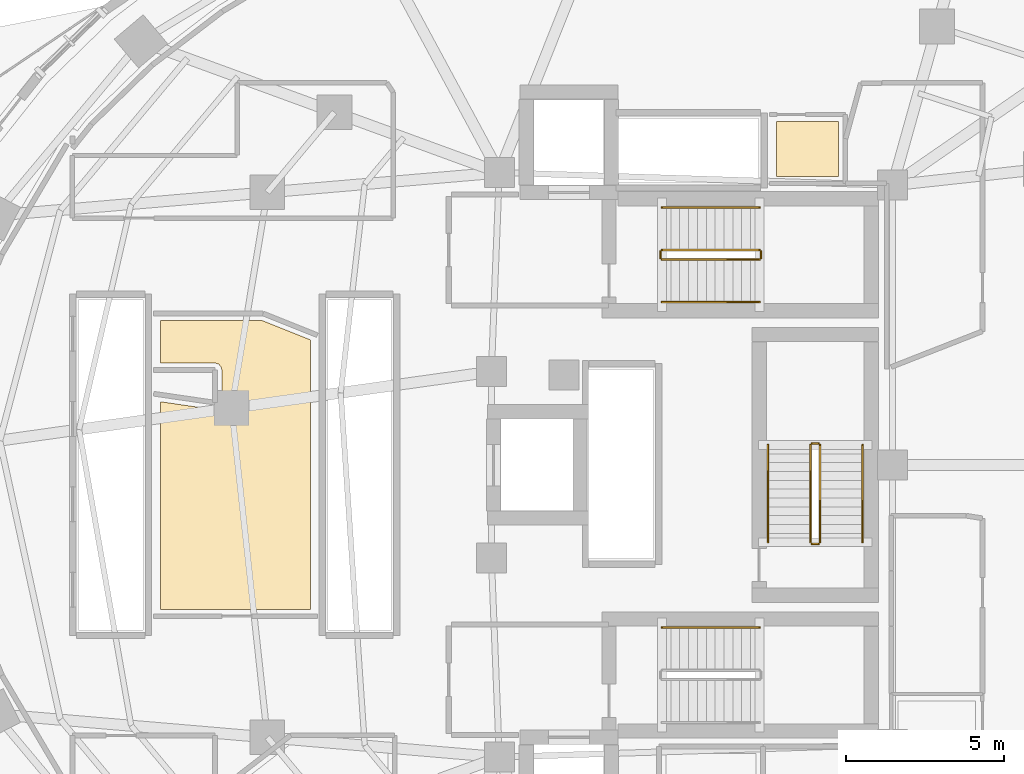
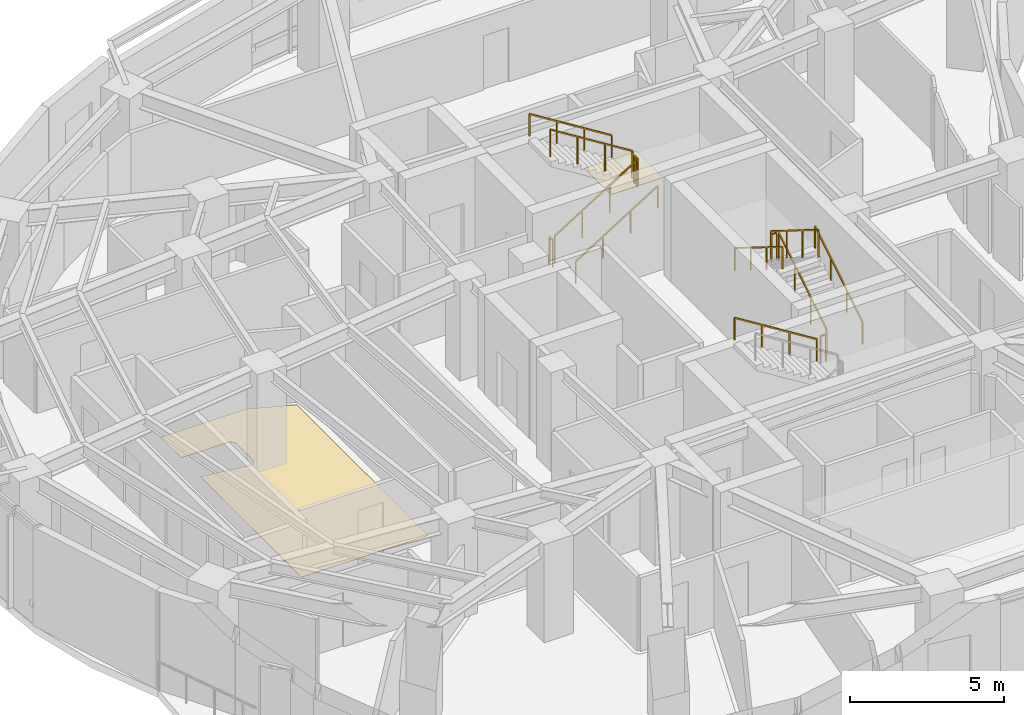
# One storey, part 14 of 15: 13 railings, 2 coverings.
"""IFC4 building model written with IfcOpenShell, lengths in metres."""

from ifc_helpers import new_model, si_unit, direction, frame, origin, origin_2d, place, context, subcontext, project, spatial, polyline, rectangle, outline, extrude, material, layer, layer_set, type_object, element, save


model = new_model("IFC4")

# Units and contexts
model_context = context("Model", 3, precision=1e-05, world=origin(), true_north=direction((0.0, 1.0)))
body_context = subcontext(model_context, "Body", "Model", "MODEL_VIEW")
ifc_project = project(units=[si_unit("LENGTHUNIT", "METRE"), si_unit("AREAUNIT", "SQUARE_METRE"), si_unit("VOLUMEUNIT", "CUBIC_METRE"), si_unit("PLANEANGLEUNIT", "RADIAN"), si_unit("MASSUNIT", "GRAM", prefix="KILO")], contexts=[model_context])

# Site, building, storey
site_placement = place(None, origin())
site = spatial("IfcSite", under=ifc_project, at=site_placement, CompositionType="ELEMENT")
building_placement = place(site_placement, origin())
building = spatial("IfcBuilding", under=site, at=building_placement, Name="Korentha Bioscience Tower", CompositionType="ELEMENT")
storey_placement = place(building_placement, frame((0.0, 0.0, 115.199951171875)))
storey = spatial("IfcBuildingStorey", under=building, at=storey_placement, Name="L26", CompositionType="ELEMENT", Elevation=115.199951171875)

# Covering
ifc_material_1 = material(Name="Vitrified Porcelain Tile", Category="ceramic")
ifc_layer_1 = layer(ifc_material_1, 0.014892578125, Name="Vitrified Porcelain Tile")
ifc_layer_set_1 = layer_set([ifc_layer_1], Name="Vitrified Porcelain Tile (FL-CER)")
covering_type_1 = type_object("IfcCoveringType", Name="Anti-Slip Ceramic Wet-Room Tile Flooring 15", PredefinedType="FLOORING", material=ifc_layer_set_1)
covering_1_placement = place(storey_placement, origin())
element("IfcCovering", 1, at=covering_1_placement, inside=storey, type_object=covering_type_1, Name="L26 Accessible Staff WC Floor Finish", PredefinedType="FLOORING", context=body_context, shape_type="SweptSolid", body=[
    extrude(outline(polyline([(33.8701171875, 36.1298828125), (33.8701171875, 37.8701171875), (35.830078125, 37.8701171875), (35.830078125, 36.1298828125), (33.8701171875, 36.1298828125)])), origin(), (0.0, 0.0, 1.0), 0.01513671875),
])

# Railings
ifc_material_2 = material(Name="Stainless Steel 304", Category="steel")
railing_type_1 = type_object("IfcRailingType", Name="Brushed Stainless Stair Handrail 900", PredefinedType="HANDRAIL", material=ifc_material_2)
railing_1_placement = place(storey_placement, frame((30.25, 32.14990234375, 0.175048828125)))
element("IfcRailing", 2, at=railing_1_placement, inside=storey, type_object=railing_type_1, Name="L26 ST-1 stair handrail 1", PredefinedType="HANDRAIL", context=body_context, shape_type="SweptSolid", body=[
    extrude(rectangle(XDim=0.048095703125, YDim=0.048095703125, at=origin_2d()), frame((0.0, 0.0, 0.8759765625), z_axis=(0.847998304005, 0.0, 0.529998940003), x_axis=(0.0, 1.0, 0.0)), (0.0, 0.0, 1.0), 3.632080078125),
    extrude(rectangle(XDim=0.0419921875, YDim=0.0419921875, at=origin_2d()), origin(), (0.0, 0.0, 1.0), 0.851806640625),
    extrude(rectangle(XDim=0.0419921875, YDim=0.0419921875, at=origin_2d()), frame((1.026611328125, 0.0, 0.6416015625)), (0.0, 0.0, 1.0), 0.851806640625),
    extrude(rectangle(XDim=0.0419921875, YDim=0.0419921875, at=origin_2d()), frame((2.053466796875, 0.0, 1.283447265625)), (0.0, 0.0, 1.0), 0.851806640625),
    extrude(rectangle(XDim=0.0419921875, YDim=0.0419921875, at=origin_2d()), frame((3.080078125, 0.0, 1.925048828125)), (0.0, 0.0, 1.0), 0.851806640625),
])
for number, where, name in (
    (3, (33.330078125, 35.14990234375, 2.275146484375), "L26 ST-1 stair handrail 2"),
    (4, (33.330078125, 21.85009765625, 2.275146484375), "L26 ST-2 stair handrail 2"),
):
    element("IfcRailing", number, at=place(storey_placement, frame(where)), inside=storey, type_object=railing_type_1, Name=name, PredefinedType="HANDRAIL", context=body_context, shape_type="SweptSolid", body=[
        extrude(rectangle(XDim=0.048095703125, YDim=0.048095703125, at=origin_2d()), frame((0.0, 0.0, 0.8759765625), z_axis=(-0.848028513186, 0.0, 0.529950602248), x_axis=(0.0, -1.0, 0.0)), (0.0, 0.0, 1.0), 3.632080078125),
        extrude(rectangle(XDim=0.0419921875, YDim=0.0419921875, at=origin_2d()), origin(), (0.0, 0.0, 1.0), 0.851806640625),
        extrude(rectangle(XDim=0.0419921875, YDim=0.0419921875, at=origin_2d()), frame((-1.026611328125, 0.0, 0.6416015625)), (0.0, 0.0, 1.0), 0.851806640625),
        extrude(rectangle(XDim=0.0419921875, YDim=0.0419921875, at=origin_2d()), frame((-2.053466796875, 0.0, 1.283203125)), (0.0, 0.0, 1.0), 0.851806640625),
        extrude(rectangle(XDim=0.0419921875, YDim=0.0419921875, at=origin_2d()), frame((-3.080078125, 0.0, 1.9248046875)), (0.0, 0.0, 1.0), 0.851806640625),
    ])
railing_2_placement = place(storey_placement, frame((36.60009765625, 24.550048828125, 0.175048828125)))
element("IfcRailing", 5, at=railing_2_placement, inside=storey, type_object=railing_type_1, Name="L26 ST-3 stair handrail 1", PredefinedType="HANDRAIL", context=body_context, shape_type="SweptSolid", body=[
    extrude(rectangle(XDim=0.048095703125, YDim=0.048095703125, at=origin_2d()), frame((0.0, 0.0, 0.8759765625), z_axis=(0.0, 0.847979421464, 0.530029150871), x_axis=(-1.0, 0.0, 0.0)), (0.0, 0.0, 1.0), 3.632080078125),
    extrude(rectangle(XDim=0.0419921875, YDim=0.0419921875, at=origin_2d()), origin(), (0.0, 0.0, 1.0), 0.851806640625),
    extrude(rectangle(XDim=0.0419921875, YDim=0.0419921875, at=origin_2d()), frame((0.0, 1.026611328125, 0.6416015625)), (0.0, 0.0, 1.0), 0.851806640625),
    extrude(rectangle(XDim=0.0419921875, YDim=0.0419921875, at=origin_2d()), frame((0.0, 2.05322265625, 1.283447265625)), (0.0, 0.0, 1.0), 0.851806640625),
    extrude(rectangle(XDim=0.0419921875, YDim=0.0419921875, at=origin_2d()), frame((0.0, 3.079833984375, 1.925048828125)), (0.0, 0.0, 1.0), 0.851806640625),
])
railing_3_placement = place(storey_placement, frame((33.60009765625, 27.6298828125, 2.275146484375)))
element("IfcRailing", 6, at=railing_3_placement, inside=storey, type_object=railing_type_1, Name="L26 ST-3 stair handrail 2", PredefinedType="HANDRAIL", context=body_context, shape_type="SweptSolid", body=[
    extrude(rectangle(XDim=0.048095703125, YDim=0.048095703125, at=origin_2d()), frame((0.0, 0.0, 0.8759765625), z_axis=(0.0, -0.848009633417, 0.529980812513), x_axis=(1.0, 0.0, 0.0)), (0.0, 0.0, 1.0), 3.6318359375),
    extrude(rectangle(XDim=0.0419921875, YDim=0.0419921875, at=origin_2d()), origin(), (0.0, 0.0, 1.0), 0.851806640625),
    extrude(rectangle(XDim=0.0419921875, YDim=0.0419921875, at=origin_2d()), frame((0.0, -1.026611328125, 0.6416015625)), (0.0, 0.0, 1.0), 0.851806640625),
    extrude(rectangle(XDim=0.0419921875, YDim=0.0419921875, at=origin_2d()), frame((0.0, -2.05322265625, 1.283203125)), (0.0, 0.0, 1.0), 0.851806640625),
    extrude(rectangle(XDim=0.0419921875, YDim=0.0419921875, at=origin_2d()), frame((0.0, -3.079833984375, 1.9248046875)), (0.0, 0.0, 1.0), 0.851806640625),
])
ifc_material_3 = material(Name="Painted Steel S275", Category="steel")
railing_type_2 = type_object("IfcRailingType", Name="Painted Steel Stair Well Guardrail 1100", PredefinedType="GUARDRAIL", material=ifc_material_3)
railing_4_placement = place(storey_placement, frame((30.25, 33.5, 0.175048828125)))
element("IfcRailing", 7, at=railing_4_placement, inside=storey, type_object=railing_type_2, Name="L26 ST-1 stair guard 1", PredefinedType="GUARDRAIL", context=body_context, shape_type="SweptSolid", body=[
    extrude(rectangle(XDim=0.048095703125, YDim=0.048095703125, at=origin_2d()), frame((0.0, 0.0, 1.076171875), z_axis=(0.847998304005, 0.0, 0.529998940003), x_axis=(0.0, 1.0, 0.0)), (0.0, 0.0, 1.0), 3.632080078125),
    extrude(rectangle(XDim=0.0419921875, YDim=0.0419921875, at=origin_2d()), origin(), (0.0, 0.0, 1.0), 1.052001953125),
    extrude(rectangle(XDim=0.0419921875, YDim=0.0419921875, at=origin_2d()), frame((1.026611328125, 0.0, 0.6416015625)), (0.0, 0.0, 1.0), 1.052001953125),
    extrude(rectangle(XDim=0.0419921875, YDim=0.0419921875, at=origin_2d()), frame((2.053466796875, 0.0, 1.283447265625)), (0.0, 0.0, 1.0), 1.052001953125),
    extrude(rectangle(XDim=0.0419921875, YDim=0.0419921875, at=origin_2d()), frame((3.080078125, 0.0, 1.925048828125)), (0.0, 0.0, 1.0), 1.052001953125),
])
railing_5_placement = place(storey_placement, frame((33.3798828125, 33.550048828125, 2.10009765625)))
element("IfcRailing", 8, at=railing_5_placement, inside=storey, type_object=railing_type_2, Name="L26 ST-1 stair guard 2", PredefinedType="GUARDRAIL", context=body_context, shape_type="SweptSolid", body=[
    extrude(rectangle(XDim=0.048095703125, YDim=0.048095703125, at=origin_2d()), frame((0.0, 0.0, 1.076171875), z_axis=(0.0, 1.0, 0.0), x_axis=(-1.0, 0.0, 0.0)), (0.0, 0.0, 1.0), 0.199951171875),
    extrude(rectangle(XDim=0.0419921875, YDim=0.0419921875, at=origin_2d()), origin(), (0.0, 0.0, 1.0), 1.052001953125),
    extrude(rectangle(XDim=0.0419921875, YDim=0.0419921875, at=origin_2d()), frame((0.0, 0.199951171875, 0.0)), (0.0, 0.0, 1.0), 1.052001953125),
])
railing_6_placement = place(storey_placement, frame((33.330078125, 33.800048828125, 2.275146484375)))
element("IfcRailing", 9, at=railing_6_placement, inside=storey, type_object=railing_type_2, Name="L26 ST-1 stair guard 3", PredefinedType="GUARDRAIL", context=body_context, shape_type="SweptSolid", body=[
    extrude(rectangle(XDim=0.048095703125, YDim=0.048095703125, at=origin_2d()), frame((0.0, 0.0, 1.076171875), z_axis=(-0.848028513186, 0.0, 0.529950602248), x_axis=(0.0, -1.0, 0.0)), (0.0, 0.0, 1.0), 3.632080078125),
    extrude(rectangle(XDim=0.0419921875, YDim=0.0419921875, at=origin_2d()), origin(), (0.0, 0.0, 1.0), 1.052001953125),
    extrude(rectangle(XDim=0.0419921875, YDim=0.0419921875, at=origin_2d()), frame((-1.026611328125, 0.0, 0.6416015625)), (0.0, 0.0, 1.0), 1.052001953125),
    extrude(rectangle(XDim=0.0419921875, YDim=0.0419921875, at=origin_2d()), frame((-2.053466796875, 0.0, 1.283203125)), (0.0, 0.0, 1.0), 1.052001953125),
    extrude(rectangle(XDim=0.0419921875, YDim=0.0419921875, at=origin_2d()), frame((-3.080078125, 0.0, 1.9248046875)), (0.0, 0.0, 1.0), 1.052001953125),
])
railing_7_placement = place(storey_placement, frame((30.199951171875, 33.550048828125, 0.0)))
element("IfcRailing", 10, at=railing_7_placement, inside=storey, type_object=railing_type_2, Name="L26 ST-1 stair guard 4", PredefinedType="GUARDRAIL", context=body_context, shape_type="SweptSolid", body=[
    extrude(rectangle(XDim=0.048095703125, YDim=0.048095703125, at=origin_2d()), frame((0.0, 0.0, 1.076171875), z_axis=(0.0, 1.0, 0.0), x_axis=(-1.0, 0.0, 0.0)), (0.0, 0.0, 1.0), 0.199951171875),
    extrude(rectangle(XDim=0.0419921875, YDim=0.0419921875, at=origin_2d()), origin(), (0.0, 0.0, 1.0), 1.052001953125),
    extrude(rectangle(XDim=0.0419921875, YDim=0.0419921875, at=origin_2d()), frame((0.0, 0.199951171875, 0.0)), (0.0, 0.0, 1.0), 1.052001953125),
])
railing_8_placement = place(storey_placement, frame((35.25, 24.550048828125, 0.175048828125)))
element("IfcRailing", 11, at=railing_8_placement, inside=storey, type_object=railing_type_2, Name="L26 ST-3 stair guard 1", PredefinedType="GUARDRAIL", context=body_context, shape_type="SweptSolid", body=[
    extrude(rectangle(XDim=0.048095703125, YDim=0.048095703125, at=origin_2d()), frame((0.0, 0.0, 1.076171875), z_axis=(0.0, 0.847979421464, 0.530029150871), x_axis=(-1.0, 0.0, 0.0)), (0.0, 0.0, 1.0), 3.632080078125),
    extrude(rectangle(XDim=0.0419921875, YDim=0.0419921875, at=origin_2d()), origin(), (0.0, 0.0, 1.0), 1.052001953125),
    extrude(rectangle(XDim=0.0419921875, YDim=0.0419921875, at=origin_2d()), frame((0.0, 1.026611328125, 0.6416015625)), (0.0, 0.0, 1.0), 1.052001953125),
    extrude(rectangle(XDim=0.0419921875, YDim=0.0419921875, at=origin_2d()), frame((0.0, 2.05322265625, 1.283447265625)), (0.0, 0.0, 1.0), 1.052001953125),
    extrude(rectangle(XDim=0.0419921875, YDim=0.0419921875, at=origin_2d()), frame((0.0, 3.079833984375, 1.925048828125)), (0.0, 0.0, 1.0), 1.052001953125),
])
railing_9_placement = place(storey_placement, frame((35.199951171875, 27.679931640625, 2.10009765625)))
element("IfcRailing", 12, at=railing_9_placement, inside=storey, type_object=railing_type_2, Name="L26 ST-3 stair guard 2", PredefinedType="GUARDRAIL", context=body_context, shape_type="SweptSolid", body=[
    extrude(rectangle(XDim=0.048095703125, YDim=0.048095703125, at=origin_2d()), frame((0.0, 0.0, 1.076171875), z_axis=(-1.0, 0.0, 0.0), x_axis=(0.0, -1.0, 0.0)), (0.0, 0.0, 1.0), 0.199951171875),
    extrude(rectangle(XDim=0.0419921875, YDim=0.0419921875, at=origin_2d()), origin(), (0.0, 0.0, 1.0), 1.052001953125),
    extrude(rectangle(XDim=0.0419921875, YDim=0.0419921875, at=origin_2d()), frame((-0.199951171875, 0.0, 0.0)), (0.0, 0.0, 1.0), 1.052001953125),
])
railing_10_placement = place(storey_placement, frame((34.949951171875, 27.6298828125, 2.275146484375)))
element("IfcRailing", 13, at=railing_10_placement, inside=storey, type_object=railing_type_2, Name="L26 ST-3 stair guard 3", PredefinedType="GUARDRAIL", context=body_context, shape_type="SweptSolid", body=[
    extrude(rectangle(XDim=0.048095703125, YDim=0.048095703125, at=origin_2d()), frame((0.0, 0.0, 1.076171875), z_axis=(0.0, -0.848009633417, 0.529980812513), x_axis=(1.0, 0.0, 0.0)), (0.0, 0.0, 1.0), 3.6318359375),
    extrude(rectangle(XDim=0.0419921875, YDim=0.0419921875, at=origin_2d()), origin(), (0.0, 0.0, 1.0), 1.052001953125),
    extrude(rectangle(XDim=0.0419921875, YDim=0.0419921875, at=origin_2d()), frame((0.0, -1.026611328125, 0.6416015625)), (0.0, 0.0, 1.0), 1.052001953125),
    extrude(rectangle(XDim=0.0419921875, YDim=0.0419921875, at=origin_2d()), frame((0.0, -2.05322265625, 1.283203125)), (0.0, 0.0, 1.0), 1.052001953125),
    extrude(rectangle(XDim=0.0419921875, YDim=0.0419921875, at=origin_2d()), frame((0.0, -3.079833984375, 1.9248046875)), (0.0, 0.0, 1.0), 1.052001953125),
])
railing_11_placement = place(storey_placement, frame((35.199951171875, 24.5, 0.0)))
element("IfcRailing", 14, at=railing_11_placement, inside=storey, type_object=railing_type_2, Name="L26 ST-3 stair guard 4", PredefinedType="GUARDRAIL", context=body_context, shape_type="SweptSolid", body=[
    extrude(rectangle(XDim=0.048095703125, YDim=0.048095703125, at=origin_2d()), frame((0.0, 0.0, 1.076171875), z_axis=(-1.0, 0.0, 0.0), x_axis=(0.0, -1.0, 0.0)), (0.0, 0.0, 1.0), 0.199951171875),
    extrude(rectangle(XDim=0.0419921875, YDim=0.0419921875, at=origin_2d()), origin(), (0.0, 0.0, 1.0), 1.052001953125),
    extrude(rectangle(XDim=0.0419921875, YDim=0.0419921875, at=origin_2d()), frame((-0.199951171875, 0.0, 0.0)), (0.0, 0.0, 1.0), 1.052001953125),
])

# Covering
ifc_material_4 = material(Name="Chemical-Resistant Epoxy Resin", Category="polymer")
ifc_layer_2 = layer(ifc_material_4, 0.011962890625, Name="Chemical-Resistant Epoxy Resin")
ifc_layer_set_2 = layer_set([ifc_layer_2], Name="Chemical-Resistant Epoxy Resin (FL-EPX)")
covering_type_2 = type_object("IfcCoveringType", Name="Seamless Epoxy Laboratory Flooring 12", PredefinedType="FLOORING", material=ifc_layer_set_2)
covering_2_placement = place(storey_placement, origin())
element("IfcCovering", 15, at=covering_2_placement, inside=storey, type_object=covering_type_2, Name="L26 Staff Pantry Kitchenette 01 Floor Finish", PredefinedType="FLOORING", context=body_context, shape_type="SweptSolid", body=[
    extrude(outline(polyline([(16.065673828125, 28.751220703125), (16.155029296875, 28.75634765625), (16.235595703125, 28.796142578125), (16.2939453125, 28.864501953125), (16.3173828125, 28.92822265625), (16.322021484375, 29.998779296875), (16.29443359375, 30.10546875), (16.223388671875, 30.18359375), (16.11376953125, 30.221435546875), (14.380126953125, 30.221923828125), (14.3798828125, 31.570068359375), (17.583984375, 31.570068359375), (19.119873046875, 30.955810546875), (19.1201171875, 22.429931640625), (14.3798828125, 22.429931640625), (14.3798828125, 28.9970703125), (16.065673828125, 28.751220703125)])), origin(), (0.0, 0.0, 1.0), 0.011962890625),
])

save(model, "model.ifc")
